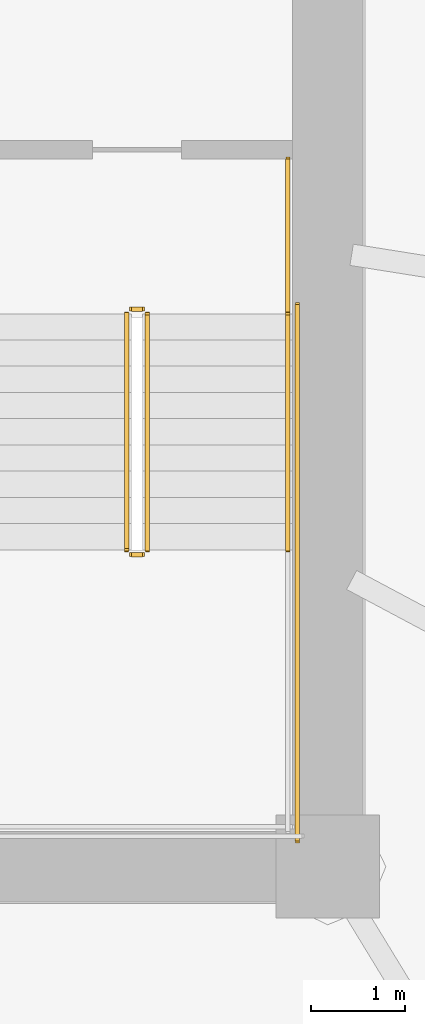
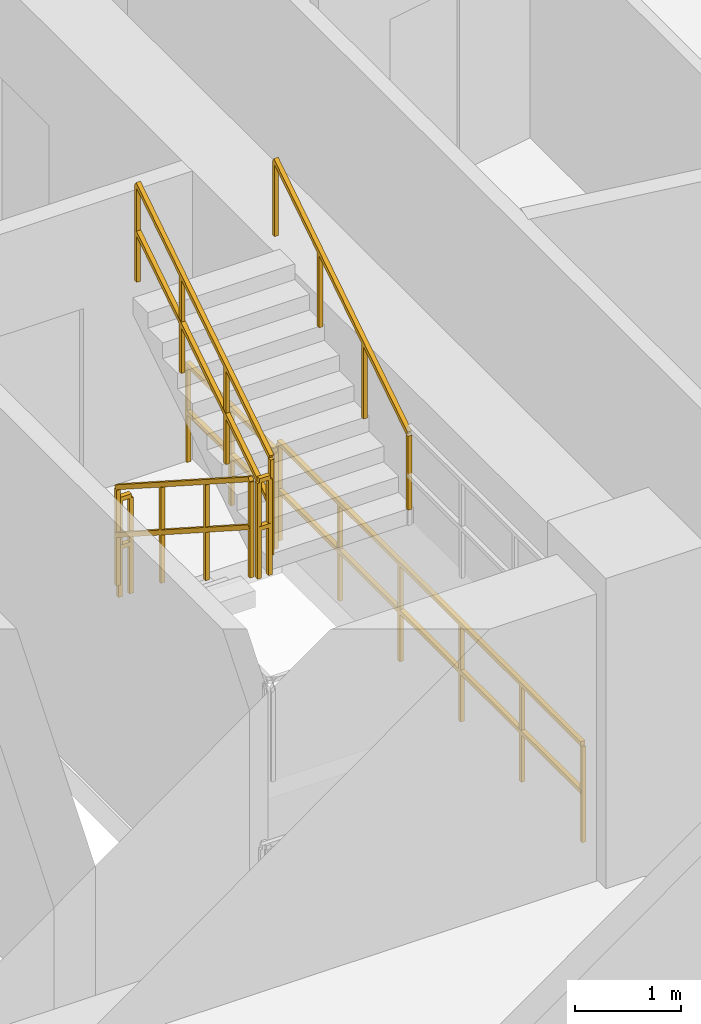
# One storey, part 36 of 37: 7 railings.
"""IFC4 building model written with IfcOpenShell, lengths in metres."""

import ifcopenshell
import ifcopenshell.guid

model = None  # the IFC model being written
_history = None  # IfcOwnerHistory: only IFC2X3 demands one
_inside = {}  # id of a spatial element -> (the spatial element, [elements in it])
_under = {}  # id of a project, library or spatial element -> (it, [spatial elements below it])
_declared = {}  # id of a project -> (the project, [libraries it declares])
_typed = {}  # id of a type object -> (the type object, [elements of that type])
_made_of = {}  # id of a material, layer set ... -> (it, [elements and type objects made of it])


def new_model(schema):
    """Start an empty IFC model of exactly this schema.

    Asked for "IFC4X3", IfcOpenShell would pick the latest addendum, in which some entities
    have other attributes; the version numbers below select the first issue.
    IFC2X3 requires an IfcOwnerHistory on every rooted entity: one is made here for all.
    """
    global model, _history
    if schema == "IFC4X3":
        model = ifcopenshell.file(schema_version=(4, 3, 0, 0))
    else:
        model = ifcopenshell.file(schema=schema)
    _inside.clear()
    _under.clear()
    _declared.clear()
    _typed.clear()
    _made_of.clear()
    _history = None
    if model.schema == "IFC2X3":
        org = make("IfcOrganization", Name="unknown")
        user = make(
            "IfcPersonAndOrganization",
            ThePerson=make("IfcPerson", FamilyName="unknown"),
            TheOrganization=org,
        )
        app = make(
            "IfcApplication",
            ApplicationDeveloper=org,
            Version="unknown",
            ApplicationFullName="unknown",
            ApplicationIdentifier="unknown",
        )
        _history = make(
            "IfcOwnerHistory",
            OwningUser=user,
            OwningApplication=app,
            ChangeAction="ADDED",
            CreationDate=0,
        )
    return model


def make(cls, **values):
    """One entity of the class cls with the attributes given. An attribute that is None is left unset."""
    return model.create_entity(
        cls, **{name: value for name, value in values.items() if value is not None}
    )


def rooted(cls, **values):
    """An entity with a GlobalId (a new one), such as an element, a storey or a relation."""
    return make(cls, GlobalId=ifcopenshell.guid.new(), OwnerHistory=_history, **values)


def si_unit(unit_type, name, prefix=None):
    """IfcSIUnit, for example si_unit("LENGTHUNIT", "METRE", prefix="MILLI")."""
    return make("IfcSIUnit", UnitType=unit_type, Prefix=prefix, Name=name)


def assignment(units):
    """IfcUnitAssignment: the units of a project."""
    return None if units is None else make("IfcUnitAssignment", Units=units)


def point(xyz):
    """IfcCartesianPoint."""
    return None if xyz is None else make("IfcCartesianPoint", Coordinates=xyz)


def direction(xyz):
    """IfcDirection."""
    return None if xyz is None else make("IfcDirection", DirectionRatios=xyz)


def frame(location, z_axis=None, x_axis=None):
    """IfcAxis2Placement3D, a coordinate frame: its origin and axes. An axis left out is left unset."""
    return make(
        "IfcAxis2Placement3D",
        Location=point(location),
        Axis=direction(z_axis),
        RefDirection=direction(x_axis),
    )


def frame_2d(location, x_axis=None):
    """IfcAxis2Placement2D, a coordinate frame in the plane: its origin and x axis."""
    return make(
        "IfcAxis2Placement2D", Location=point(location), RefDirection=direction(x_axis)
    )


def origin():
    """The frame at (0, 0, 0) with its axes left unset."""
    return frame((0.0, 0.0, 0.0))


def origin_2d():
    """The frame at (0, 0) in the plane with its x axis left unset."""
    return frame_2d((0.0, 0.0))


def place(relative_to, where):
    """IfcLocalPlacement: puts the frame where relative to a parent placement (None: the world)."""
    return make(
        "IfcLocalPlacement", PlacementRelTo=relative_to, RelativePlacement=where
    )


def context(
    kind, dimensions, precision=None, world=None, true_north=None, identifier=None
):
    """IfcGeometricRepresentationContext, for example the 3D "Model" context."""
    return make(
        "IfcGeometricRepresentationContext",
        ContextIdentifier=identifier,
        ContextType=kind,
        CoordinateSpaceDimension=dimensions,
        Precision=precision,
        WorldCoordinateSystem=world,
        TrueNorth=true_north,
    )


def subcontext(parent, identifier, kind, view, scale=None):
    """IfcGeometricRepresentationSubContext, for example "Body" below "Model"."""
    return make(
        "IfcGeometricRepresentationSubContext",
        ContextIdentifier=identifier,
        ContextType=kind,
        ParentContext=parent,
        TargetScale=scale,
        TargetView=view,
    )


def project(units=None, contexts=None):
    """IfcProject with its units and contexts."""
    return rooted(
        "IfcProject",
        Name="project",
        RepresentationContexts=contexts,
        UnitsInContext=assignment(units),
    )


def spatial(cls, under=None, at=None, **own):
    """A site, building, storey or space (cls), placed at a placement, below another one or the project."""
    s = rooted(cls, ObjectPlacement=at, **own)
    if under is not None:
        _under.setdefault(under.id(), (under, []))[1].append(s)
    return s


def profile(cls, at=None, kind="AREA", **sizes):
    """A parametric profile (cls). Its sizes go by their IFC names, for example OverallWidth=200.0."""
    return make(cls, ProfileType=kind, Position=at, **sizes)


def rectangle(**sizes):
    """IfcRectangleProfileDef."""
    return profile("IfcRectangleProfileDef", **sizes)


def extrude(swept, where, along, depth):
    """IfcExtrudedAreaSolid: the profile swept, set in the frame where, extruded along a direction by depth."""
    return make(
        "IfcExtrudedAreaSolid",
        SweptArea=swept,
        Position=where,
        ExtrudedDirection=direction(along),
        Depth=depth,
    )


def shape(context_of_items, identifier, shape_type, items):
    """IfcShapeRepresentation: the items that make up one representation, for example the "Body"."""
    return make(
        "IfcShapeRepresentation",
        ContextOfItems=context_of_items,
        RepresentationIdentifier=identifier,
        RepresentationType=shape_type,
        Items=items,
    )


def material(Name=None, Category=None):
    """IfcMaterial."""
    return make("IfcMaterial", Name=Name, Category=Category)


def made_of(thing, what):
    """Note that an element or type object is made of a material, layer set ...; save() writes the relation."""
    if what is not None:
        _made_of.setdefault(what.id(), (what, []))[1].append(thing)
    return thing


def type_object(cls, material=None, **own):
    """A type object (cls), such as IfcWallType, which elements share."""
    return made_of(rooted(cls, **own), material)


def element(
    cls,
    number,
    at=None,
    inside=None,
    cuts=None,
    type_object=None,
    material=None,
    context=None,
    identifier="Body",
    shape_type=None,
    held_by="IfcProductDefinitionShape",
    body=None,
    shapes=None,
    **own,
):
    """One element of the class cls, such as IfcWall. Its Tag is "e" and its number.

    at: its placement. inside: the storey or other place that contains it. cuts: it is an
    opening in that element (IfcRelVoidsElement). A single representation is given by context,
    identifier, shape_type and body (its items); several are given by shapes. held_by: the class
    of the entity that holds the representations. save() writes the other relations.
    """
    e = rooted(cls, Tag="e%d" % number, ObjectPlacement=at, **own)
    if body is not None:
        shapes = [shape(context, identifier, shape_type, body)]
    if shapes is not None:
        e.Representation = make(held_by, Representations=shapes)
    if inside is not None:
        _inside.setdefault(inside.id(), (inside, []))[1].append(e)
    if cuts is not None:
        rooted(
            "IfcRelVoidsElement", RelatingBuildingElement=cuts, RelatedOpeningElement=e
        )
    if type_object is not None:
        _typed.setdefault(type_object.id(), (type_object, []))[1].append(e)
    return made_of(e, material)


def aggregate(whole, parts):
    """IfcRelAggregates: a whole, such as a stair, and the parts it consists of."""
    return rooted("IfcRelAggregates", RelatingObject=whole, RelatedObjects=parts)


def save(model, path):
    """Write the relations noted so far, then the file.

    IfcRelAggregates (storeys below a building ...), IfcRelContainedInSpatialStructure (elements
    in a storey), IfcRelDefinesByType, IfcRelAssociatesMaterial and IfcRelDeclares: one each for
    every whole, place, type object, material and project.
    """
    for whole, parts in _under.values():
        aggregate(whole, parts)
    for where, things in _inside.values():
        rooted(
            "IfcRelContainedInSpatialStructure",
            RelatedElements=things,
            RelatingStructure=where,
        )
    for kind, things in _typed.values():
        rooted("IfcRelDefinesByType", RelatedObjects=things, RelatingType=kind)
    for what, things in _made_of.values():
        rooted("IfcRelAssociatesMaterial", RelatedObjects=things, RelatingMaterial=what)
    for by, libraries in _declared.values():
        rooted("IfcRelDeclares", RelatingContext=by, RelatedDefinitions=libraries)
    model.write(path)


model = new_model("IFC4")

# Units and contexts
model_context = context("Model", 3, precision=1e-05, world=origin(), true_north=direction((-0.2419218956, 0.970295726276)))
body_context = subcontext(model_context, "Body", "Model", "MODEL_VIEW")
ifc_project = project(units=[si_unit("LENGTHUNIT", "METRE"), si_unit("AREAUNIT", "SQUARE_METRE"), si_unit("VOLUMEUNIT", "CUBIC_METRE"), si_unit("PLANEANGLEUNIT", "RADIAN"), si_unit("MASSUNIT", "GRAM", prefix="KILO")], contexts=[model_context])

# Site, building, storey
site_placement = place(None, origin())
site = spatial("IfcSite", under=ifc_project, at=site_placement, CompositionType="ELEMENT")
building_placement = place(site_placement, origin())
building = spatial("IfcBuilding", under=site, at=building_placement, Name="Cobrevalo Terracotta Tower", CompositionType="ELEMENT")
storey_placement = place(building_placement, frame((0.0, 0.0, 24.0)))
storey = spatial("IfcBuildingStorey", under=building, at=storey_placement, Name="L05", CompositionType="ELEMENT", Elevation=24.0)

# Railings
ifc_material_1 = material(Name="Brushed stainless steel", Category="steel")
railing_type_1 = type_object("IfcRailingType", Name="Stainless Steel Stair Handrail 900", PredefinedType="HANDRAIL", material=ifc_material_1)
railing_1_placement = place(storey_placement, frame((46.574951171875, 22.179931640625, 1.97998046875)))
element("IfcRailing", 1, at=railing_1_placement, inside=storey, type_object=railing_type_1, Name="L05 ST-2 stair handrail 2", PredefinedType="HANDRAIL", context=body_context, shape_type="SweptSolid", body=[
    extrude(rectangle(XDim=0.048095703125, YDim=0.048095703125, at=origin_2d()), frame((0.0, 0.0, 0.8759765625), z_axis=(0.0, 0.841162588446, 0.540782303519), x_axis=(-1.0, 0.0, 0.0)), (0.0, 0.0, 1.0), 2.995849609375),
    extrude(rectangle(XDim=0.0419921875, YDim=0.0419921875, at=origin_2d()), origin(), (0.0, 0.0, 1.0), 0.851806640625),
    extrude(rectangle(XDim=0.0419921875, YDim=0.0419921875, at=origin_2d()), frame((0.0, 0.840087890625, 0.5400390625)), (0.0, 0.0, 1.0), 0.851806640625),
    extrude(rectangle(XDim=0.0419921875, YDim=0.0419921875, at=origin_2d()), frame((0.0, 1.679931640625, 1.080078125)), (0.0, 0.0, 1.0), 0.851806640625),
    extrude(rectangle(XDim=0.0419921875, YDim=0.0419921875, at=origin_2d()), frame((0.0, 2.52001953125, 1.6201171875)), (0.0, 0.0, 1.0), 0.851806640625),
])
ifc_material_2 = material(Name="Painted galvanized steel", Category="steel")
railing_type_2 = type_object("IfcRailingType", Name="Stair Well Guard Balustrade 1150", PredefinedType="GUARDRAIL", material=ifc_material_2)
railing_2_placement = place(storey_placement, frame((44.85498046875, 24.699951171875, 0.179931640625)))
element("IfcRailing", 2, at=railing_2_placement, inside=storey, type_object=railing_type_2, Name="L05 ST-2 stair guard 1", PredefinedType="GUARDRAIL", context=body_context, shape_type="SweptSolid", body=[
    extrude(rectangle(XDim=0.048095703125, YDim=0.048095703125, at=origin_2d()), frame((0.0, 0.0, 1.1259765625), z_axis=(0.0, -0.841162588446, 0.540782303519), x_axis=(1.0, 0.0, 0.0)), (0.0, 0.0, 1.0), 2.995849609375),
    extrude(rectangle(XDim=0.048095703125, YDim=0.048095703125, at=origin_2d()), frame((0.0, 0.0, 0.574951171875), z_axis=(0.0, -0.841162588446, 0.540782303519), x_axis=(1.0, 0.0, 0.0)), (0.0, 0.0, 1.0), 2.995849609375),
    extrude(rectangle(XDim=0.0419921875, YDim=0.0419921875, at=origin_2d()), origin(), (0.0, 0.0, 1.0), 1.101806640625),
    extrude(rectangle(XDim=0.0419921875, YDim=0.0419921875, at=origin_2d()), frame((0.0, -0.840087890625, 0.5400390625)), (0.0, 0.0, 1.0), 1.101806640625),
    extrude(rectangle(XDim=0.0419921875, YDim=0.0419921875, at=origin_2d()), frame((0.0, -1.679931640625, 1.080078125)), (0.0, 0.0, 1.0), 1.101806640625),
    extrude(rectangle(XDim=0.0419921875, YDim=0.0419921875, at=origin_2d()), frame((0.0, -2.52001953125, 1.6201171875)), (0.0, 0.0, 1.0), 1.101806640625),
])
railing_3_placement = place(storey_placement, frame((44.905029296875, 22.1298828125, 1.800048828125)))
element("IfcRailing", 3, at=railing_3_placement, inside=storey, type_object=railing_type_2, Name="L05 ST-2 stair guard 2", PredefinedType="GUARDRAIL", context=body_context, shape_type="SweptSolid", body=[
    extrude(rectangle(XDim=0.048095703125, YDim=0.048095703125, at=origin_2d()), frame((0.0, 0.0, 1.1259765625), z_axis=(1.0, 0.0, 0.0), x_axis=(0.0, 1.0, 0.0)), (0.0, 0.0, 1.0), 0.119873046875),
    extrude(rectangle(XDim=0.048095703125, YDim=0.048095703125, at=origin_2d()), frame((0.0, 0.0, 0.574951171875), z_axis=(1.0, 0.0, 0.0), x_axis=(0.0, 1.0, 0.0)), (0.0, 0.0, 1.0), 0.119873046875),
    extrude(rectangle(XDim=0.0419921875, YDim=0.0419921875, at=origin_2d()), origin(), (0.0, 0.0, 1.0), 1.101806640625),
    extrude(rectangle(XDim=0.0419921875, YDim=0.0419921875, at=origin_2d()), frame((0.119873046875, 0.0, 0.0)), (0.0, 0.0, 1.0), 1.101806640625),
])
railing_4_placement = place(storey_placement, frame((45.074951171875, 22.179931640625, 1.97998046875)))
element("IfcRailing", 4, at=railing_4_placement, inside=storey, type_object=railing_type_2, Name="L05 ST-2 stair guard 6", PredefinedType="GUARDRAIL", context=body_context, shape_type="SweptSolid", body=[
    extrude(rectangle(XDim=0.048095703125, YDim=0.048095703125, at=origin_2d()), frame((0.0, 0.0, 1.1259765625), z_axis=(0.0, 0.841162588446, 0.540782303519), x_axis=(-1.0, 0.0, 0.0)), (0.0, 0.0, 1.0), 2.995849609375),
    extrude(rectangle(XDim=0.048095703125, YDim=0.048095703125, at=origin_2d()), frame((0.0, 0.0, 0.574951171875), z_axis=(0.0, 0.841162588446, 0.540782303519), x_axis=(-1.0, 0.0, 0.0)), (0.0, 0.0, 1.0), 2.995849609375),
    extrude(rectangle(XDim=0.0419921875, YDim=0.0419921875, at=origin_2d()), origin(), (0.0, 0.0, 1.0), 1.101806640625),
    extrude(rectangle(XDim=0.0419921875, YDim=0.0419921875, at=origin_2d()), frame((0.0, 0.840087890625, 0.5400390625)), (0.0, 0.0, 1.0), 1.101806640625),
    extrude(rectangle(XDim=0.0419921875, YDim=0.0419921875, at=origin_2d()), frame((0.0, 1.679931640625, 1.080078125)), (0.0, 0.0, 1.0), 1.101806640625),
    extrude(rectangle(XDim=0.0419921875, YDim=0.0419921875, at=origin_2d()), frame((0.0, 2.52001953125, 1.6201171875)), (0.0, 0.0, 1.0), 1.101806640625),
])
railing_5_placement = place(storey_placement, frame((44.905029296875, 24.75, 0.0)))
element("IfcRailing", 5, at=railing_5_placement, inside=storey, type_object=railing_type_2, Name="L05 ST-2 stair guard 7", PredefinedType="GUARDRAIL", context=body_context, shape_type="SweptSolid", body=[
    extrude(rectangle(XDim=0.048095703125, YDim=0.048095703125, at=origin_2d()), frame((0.0, 0.0, 1.1259765625), z_axis=(1.0, 0.0, 0.0), x_axis=(0.0, 1.0, 0.0)), (0.0, 0.0, 1.0), 0.119873046875),
    extrude(rectangle(XDim=0.048095703125, YDim=0.048095703125, at=origin_2d()), frame((0.0, 0.0, 0.574951171875), z_axis=(1.0, 0.0, 0.0), x_axis=(0.0, 1.0, 0.0)), (0.0, 0.0, 1.0), 0.119873046875),
    extrude(rectangle(XDim=0.0419921875, YDim=0.0419921875, at=origin_2d()), origin(), (0.0, 0.0, 1.0), 1.101806640625),
    extrude(rectangle(XDim=0.0419921875, YDim=0.0419921875, at=origin_2d()), frame((0.119873046875, 0.0, 0.0)), (0.0, 0.0, 1.0), 1.101806640625),
])
railing_6_placement = place(storey_placement, frame((46.574951171875, 26.35009765625, 0.0)))
element("IfcRailing", 6, at=railing_6_placement, inside=storey, type_object=railing_type_2, Name="L05 ST-2 stair guard 9", PredefinedType="GUARDRAIL", context=body_context, shape_type="SweptSolid", body=[
    extrude(rectangle(XDim=0.048095703125, YDim=0.048095703125, at=origin_2d()), frame((0.0, 0.0, 1.1259765625), z_axis=(0.0, -1.0, 0.0), x_axis=(1.0, 0.0, 0.0)), (0.0, 0.0, 1.0), 1.650146484375),
    extrude(rectangle(XDim=0.048095703125, YDim=0.048095703125, at=origin_2d()), frame((0.0, 0.0, 0.574951171875), z_axis=(0.0, -1.0, 0.0), x_axis=(1.0, 0.0, 0.0)), (0.0, 0.0, 1.0), 1.650146484375),
    extrude(rectangle(XDim=0.0419921875, YDim=0.0419921875, at=origin_2d()), origin(), (0.0, 0.0, 1.0), 1.101806640625),
    extrude(rectangle(XDim=0.0419921875, YDim=0.0419921875, at=origin_2d()), frame((0.0, -0.8251953125, 0.0)), (0.0, 0.0, 1.0), 1.101806640625),
    extrude(rectangle(XDim=0.0419921875, YDim=0.0419921875, at=origin_2d()), frame((0.0, -1.650146484375, 0.0)), (0.0, 0.0, 1.0), 1.101806640625),
])
railing_7_placement = place(storey_placement, frame((46.675048828125, 24.800048828125, 0.0)))
element("IfcRailing", 7, at=railing_7_placement, inside=storey, type_object=railing_type_2, Name="L05 ST-2 stair guard 11", PredefinedType="GUARDRAIL", context=body_context, shape_type="SweptSolid", body=[
    extrude(rectangle(XDim=0.048095703125, YDim=0.048095703125, at=origin_2d()), frame((0.0, 0.0, 1.1259765625), z_axis=(0.0, -1.0, 0.0), x_axis=(1.0, 0.0, 0.0)), (0.0, 0.0, 1.0), 5.72509765625),
    extrude(rectangle(XDim=0.048095703125, YDim=0.048095703125, at=origin_2d()), frame((0.0, 0.0, 0.574951171875), z_axis=(0.0, -1.0, 0.0), x_axis=(1.0, 0.0, 0.0)), (0.0, 0.0, 1.0), 5.72509765625),
    extrude(rectangle(XDim=0.0419921875, YDim=0.0419921875, at=origin_2d()), origin(), (0.0, 0.0, 1.0), 1.101806640625),
    extrude(rectangle(XDim=0.0419921875, YDim=0.0419921875, at=origin_2d()), frame((0.0, -1.14501953125, 0.0)), (0.0, 0.0, 1.0), 1.101806640625),
    extrude(rectangle(XDim=0.0419921875, YDim=0.0419921875, at=origin_2d()), frame((0.0, -2.2900390625, 0.0)), (0.0, 0.0, 1.0), 1.101806640625),
    extrude(rectangle(XDim=0.0419921875, YDim=0.0419921875, at=origin_2d()), frame((0.0, -3.43505859375, 0.0)), (0.0, 0.0, 1.0), 1.101806640625),
    extrude(rectangle(XDim=0.0419921875, YDim=0.0419921875, at=origin_2d()), frame((0.0, -4.580078125, 0.0)), (0.0, 0.0, 1.0), 1.101806640625),
    extrude(rectangle(XDim=0.0419921875, YDim=0.0419921875, at=origin_2d()), frame((0.0, -5.72509765625, 0.0)), (0.0, 0.0, 1.0), 1.101806640625),
])

save(model, "model.ifc")
